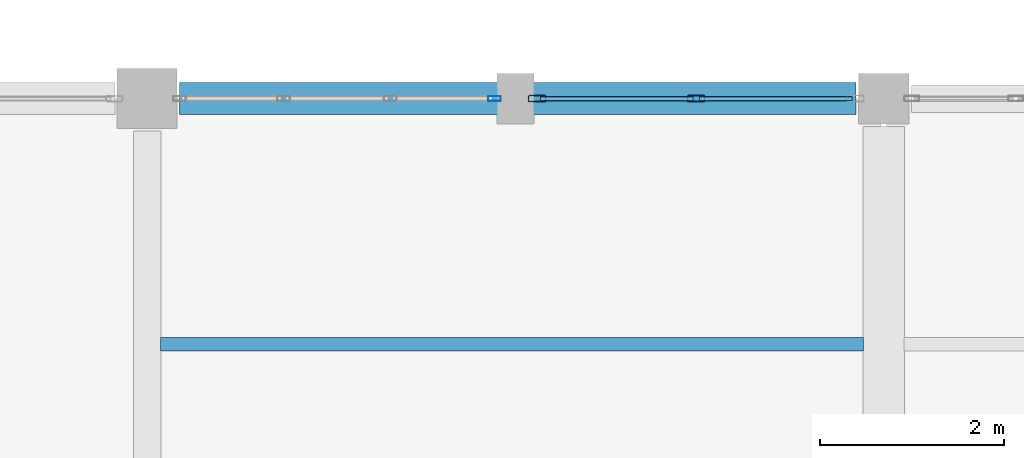
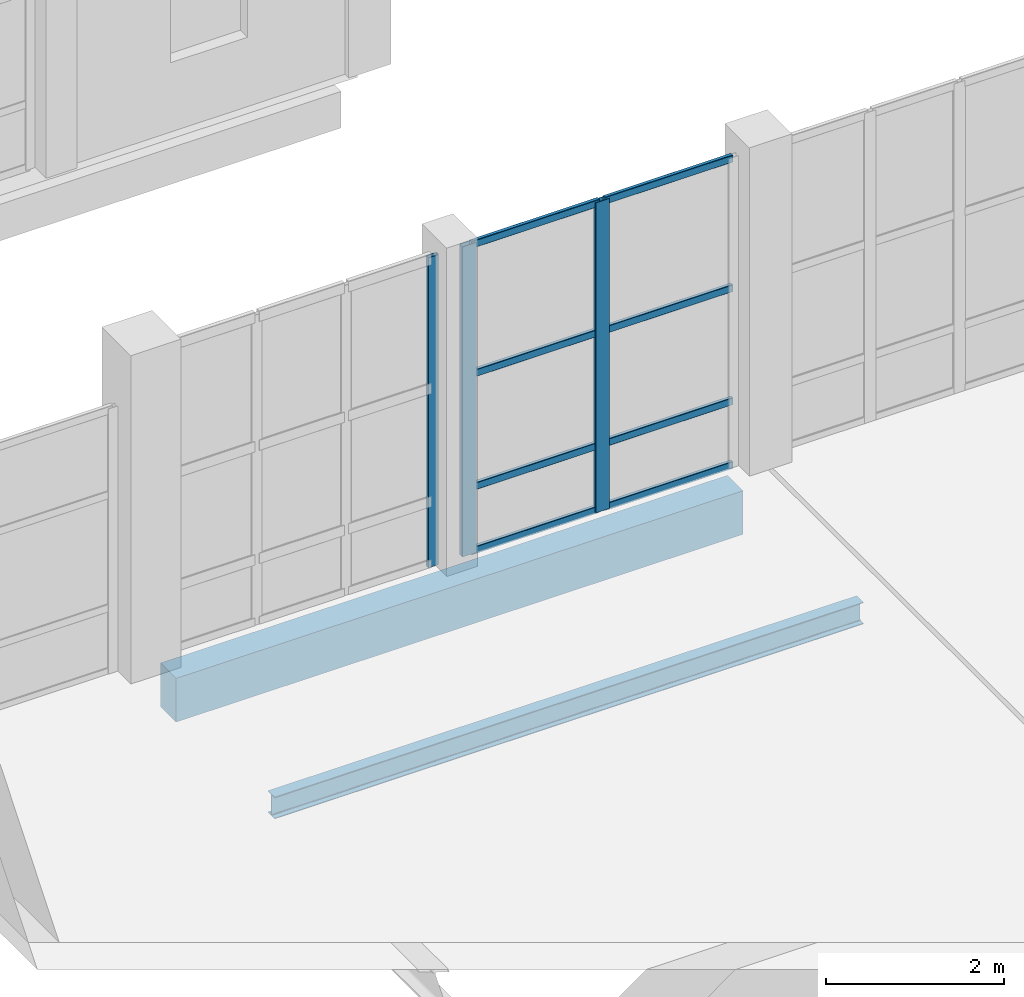
# One storey, part 33 of 183: 11 members, 2 beams, 2 elements without a shape of their own.
"""IFC4 building model written with IfcOpenShell, lengths in metres."""

from ifc_helpers import new_model, si_unit, direction, frame, origin, origin_2d, place, context, subcontext, project, spatial, rectangle, hollow_rectangle, i_section, extrude, material, material_profile, profile_set, type_object, element, aggregate, save


model = new_model("IFC4")

# Units and contexts
model_context = context("Model", 3, precision=1e-05, world=origin(), true_north=direction((0.0, 1.0)))
body_context = subcontext(model_context, "Body", "Model", "MODEL_VIEW")
ifc_project = project(units=[si_unit("LENGTHUNIT", "METRE"), si_unit("AREAUNIT", "SQUARE_METRE"), si_unit("VOLUMEUNIT", "CUBIC_METRE"), si_unit("PLANEANGLEUNIT", "RADIAN"), si_unit("MASSUNIT", "GRAM", prefix="KILO")], contexts=[model_context])

# Site, building, storey
site_placement = place(None, origin())
site = spatial("IfcSite", under=ifc_project, at=site_placement, CompositionType="ELEMENT")
building_placement = place(site_placement, origin())
building = spatial("IfcBuilding", under=site, at=building_placement, Name="Luwemba Playhouse", CompositionType="ELEMENT")
storey_placement = place(building_placement, frame((0.0, 0.0, 4.800048828125)))
storey = spatial("IfcBuildingStorey", under=building, at=storey_placement, Name="L01", CompositionType="ELEMENT", Elevation=4.800048828125)

# Beams
ifc_material_1 = material(Name="Steel S355", Category="steel")
ifc_material_profile_1 = material_profile(ifc_material_1, i_section(OverallWidth=0.14990234375, OverallDepth=0.300048828125, WebThickness=0.007080078125, FlangeThickness=0.0107421875, FilletRadius=0.014892578125, at=origin_2d()))
ifc_profile_set_1 = profile_set([ifc_material_profile_1], Name="Steel S355")
beam_type_1 = type_object("IfcBeamType", Name="BM-SJ05", PredefinedType="JOIST", material=ifc_profile_set_1)
beam_1_placement = place(storey_placement, frame((44.14599609375, 24.333251953125, -0.400146484375), z_axis=(1.0, 0.0, 0.0), x_axis=(0.0, 1.0, 0.0)))
element("IfcBeam", 1, at=beam_1_placement, inside=storey, type_object=beam_type_1, Name="L01 composite floor joist 0300", PredefinedType="JOIST", context=body_context, shape_type="SweptSolid", body=[
    extrude(i_section(OverallWidth=0.14990234375, OverallDepth=0.300048828125, WebThickness=0.007080078125, FlangeThickness=0.0107421875, FilletRadius=0.014892578125, at=origin_2d()), origin(), (0.0, 0.0, 1.0), 7.633056640625),
])
ifc_material_2 = material(Name="Concrete C40/50", Category="concrete")
ifc_material_profile_2 = material_profile(ifc_material_2, rectangle(XDim=0.35009765625, YDim=0.60009765625, at=origin_2d()))
ifc_profile_set_2 = profile_set([ifc_material_profile_2], Name="Concrete C40/50")
beam_type_2 = type_object("IfcBeamType", Name="BM-SP3", PredefinedType="SPANDREL", material=ifc_profile_set_2)
beam_2_placement = place(storey_placement, frame((44.35009765625, 27.0, -0.550048828125), z_axis=(1.0, 0.0, 0.0), x_axis=(0.0, 1.0, 0.0)))
element("IfcBeam", 2, at=beam_2_placement, inside=storey, type_object=beam_type_2, Name="L01 grid girder 0494", PredefinedType="SPANDREL", context=body_context, shape_type="SweptSolid", body=[
    extrude(rectangle(XDim=0.35009765625, YDim=0.60009765625, at=origin_2d()), origin(), (0.0, 0.0, 1.0), 7.349853515625),
])

# Curtain wall, member
ifc_material_3 = material(Name="Solar-control double glazing", Category="glass")
curtain_wall_type_1 = type_object("IfcCurtainWallType", Name="CW-CW101", PredefinedType="USERDEFINED", material=ifc_material_3)
curtain_wall_1_placement = place(storey_placement, origin())
curtain_wall_1 = element("IfcCurtainWall", 3, at=curtain_wall_1_placement, inside=storey, type_object=curtain_wall_type_1, Name="L01 V5W unitised curtain wall 132", ObjectType="UNITISED GLAZING", PredefinedType="USERDEFINED")
ifc_material_4 = material(Name="Aluminium 6063-T6", Category="aluminium")
ifc_material_profile_3 = material_profile(ifc_material_4, hollow_rectangle(XDim=0.054931640625, YDim=0.139892578125, WallThickness=0.00390625, InnerFilletRadius=0.006103515625, OuterFilletRadius=0.010009765625, at=origin_2d()))
ifc_profile_set_3 = profile_set([ifc_material_profile_3], Name="Aluminium 6063-T6")
member_type_1 = type_object("IfcMemberType", Name="CWM-M3", PredefinedType="MULLION", material=ifc_profile_set_3)
member_1_placement = place(storey_placement, frame((47.7724609375, 27.0, 0.0), z_axis=(0.0, 0.0, 1.0), x_axis=(0.0, 1.0, 0.0)))
member_1 = element("IfcMember", 4, at=member_1_placement, type_object=member_type_1, Name="CW101 mullion 4", PredefinedType="MULLION", context=body_context, shape_type="SweptSolid", body=[
    extrude(hollow_rectangle(XDim=0.054931640625, YDim=0.139892578125, WallThickness=0.00390625, InnerFilletRadius=0.006103515625, OuterFilletRadius=0.010009765625, at=origin_2d()), origin(), (0.0, 0.0, 1.0), 4.25),
])
aggregate(curtain_wall_1, [member_1])

# Curtain wall, members
curtain_wall_type_2 = type_object("IfcCurtainWallType", Name="CW-CW102", PredefinedType="USERDEFINED", material=ifc_material_3)
curtain_wall_2_placement = place(storey_placement, origin())
curtain_wall_2 = element("IfcCurtainWall", 5, at=curtain_wall_2_placement, inside=storey, type_object=curtain_wall_type_2, Name="L01 V5W unitised curtain wall 133", ObjectType="UNITISED GLAZING", PredefinedType="USERDEFINED")
ifc_material_profile_4 = material_profile(ifc_material_4, hollow_rectangle(XDim=0.070068359375, YDim=0.18994140625, WallThickness=0.0048828125, InnerFilletRadius=0.007568359375, OuterFilletRadius=0.012451171875, at=origin_2d()))
ifc_profile_set_4 = profile_set([ifc_material_profile_4], Name="Aluminium 6063-T6")
member_type_2 = type_object("IfcMemberType", Name="CWM-M4", PredefinedType="MULLION", material=ifc_profile_set_4)
member_2_placement = place(storey_placement, frame((48.235107421875, 27.0, 0.0), z_axis=(0.0, 0.0, 1.0), x_axis=(0.0, 1.0, 0.0)))
member_2 = element("IfcMember", 6, at=member_2_placement, type_object=member_type_2, Name="CW102 mullion 1", PredefinedType="MULLION", context=body_context, shape_type="SweptSolid", body=[
    extrude(hollow_rectangle(XDim=0.070068359375, YDim=0.18994140625, WallThickness=0.0048828125, InnerFilletRadius=0.007568359375, OuterFilletRadius=0.012451171875, at=origin_2d()), origin(), (0.0, 0.0, 1.0), 4.25),
])
member_3_placement = place(storey_placement, frame((49.96240234375, 27.0, 0.0), z_axis=(0.0, 0.0, 1.0), x_axis=(0.0, 1.0, 0.0)))
member_3 = element("IfcMember", 7, at=member_3_placement, type_object=member_type_2, Name="CW102 mullion 2", PredefinedType="MULLION", context=body_context, shape_type="SweptSolid", body=[
    extrude(hollow_rectangle(XDim=0.070068359375, YDim=0.18994140625, WallThickness=0.0048828125, InnerFilletRadius=0.007568359375, OuterFilletRadius=0.012451171875, at=origin_2d()), origin(), (0.0, 0.0, 1.0), 4.25),
])
ifc_material_profile_5 = material_profile(ifc_material_4, hollow_rectangle(XDim=0.050048828125, YDim=0.10009765625, WallThickness=0.00341796875, InnerFilletRadius=0.00537109375, OuterFilletRadius=0.0087890625, at=origin_2d()))
ifc_profile_set_5 = profile_set([ifc_material_profile_5], Name="Aluminium 6063-T6")
member_type_3 = type_object("IfcMemberType", Name="CWT-T4", PredefinedType="USERDEFINED", material=ifc_profile_set_5)
member_4_placement = place(storey_placement, frame((48.27001953125, 27.0, 0.02490234375), z_axis=(1.0, 0.0, 0.0), x_axis=(0.0, 1.0, 0.0)))
member_4 = element("IfcMember", 8, at=member_4_placement, type_object=member_type_3, Name="CW102 transom 1.1", ObjectType="TRANSOM", PredefinedType="USERDEFINED", context=body_context, shape_type="SweptSolid", body=[
    extrude(hollow_rectangle(XDim=0.050048828125, YDim=0.10009765625, WallThickness=0.00341796875, InnerFilletRadius=0.00537109375, OuterFilletRadius=0.0087890625, at=origin_2d()), origin(), (0.0, 0.0, 1.0), 1.657470703125),
])
member_5_placement = place(storey_placement, frame((48.27001953125, 27.0, 0.89990234375), z_axis=(1.0, 0.0, 0.0), x_axis=(0.0, 1.0, 0.0)))
member_5 = element("IfcMember", 9, at=member_5_placement, type_object=member_type_3, Name="CW102 transom 1.2", ObjectType="TRANSOM", PredefinedType="USERDEFINED", context=body_context, shape_type="SweptSolid", body=[
    extrude(hollow_rectangle(XDim=0.050048828125, YDim=0.10009765625, WallThickness=0.00341796875, InnerFilletRadius=0.00537109375, OuterFilletRadius=0.0087890625, at=origin_2d()), origin(), (0.0, 0.0, 1.0), 1.657470703125),
])
member_6_placement = place(storey_placement, frame((48.27001953125, 27.0, 2.449951171875), z_axis=(1.0, 0.0, 0.0), x_axis=(0.0, 1.0, 0.0)))
member_6 = element("IfcMember", 10, at=member_6_placement, type_object=member_type_3, Name="CW102 transom 1.3", ObjectType="TRANSOM", PredefinedType="USERDEFINED", context=body_context, shape_type="SweptSolid", body=[
    extrude(hollow_rectangle(XDim=0.050048828125, YDim=0.10009765625, WallThickness=0.00341796875, InnerFilletRadius=0.00537109375, OuterFilletRadius=0.0087890625, at=origin_2d()), origin(), (0.0, 0.0, 1.0), 1.657470703125),
])
member_7_placement = place(storey_placement, frame((48.27001953125, 27.0, 4.224853515625), z_axis=(1.0, 0.0, 0.0), x_axis=(0.0, 1.0, 0.0)))
member_7 = element("IfcMember", 11, at=member_7_placement, type_object=member_type_3, Name="CW102 transom 1.4", ObjectType="TRANSOM", PredefinedType="USERDEFINED", context=body_context, shape_type="SweptSolid", body=[
    extrude(hollow_rectangle(XDim=0.050048828125, YDim=0.10009765625, WallThickness=0.00341796875, InnerFilletRadius=0.00537109375, OuterFilletRadius=0.0087890625, at=origin_2d()), origin(), (0.0, 0.0, 1.0), 1.657470703125),
])
member_8_placement = place(storey_placement, frame((49.99755859375, 27.0, 0.02490234375), z_axis=(1.0, 0.0, 0.0), x_axis=(0.0, 1.0, 0.0)))
member_8 = element("IfcMember", 12, at=member_8_placement, type_object=member_type_3, Name="CW102 transom 2.1", ObjectType="TRANSOM", PredefinedType="USERDEFINED", context=body_context, shape_type="SweptSolid", body=[
    extrude(hollow_rectangle(XDim=0.050048828125, YDim=0.10009765625, WallThickness=0.00341796875, InnerFilletRadius=0.00537109375, OuterFilletRadius=0.0087890625, at=origin_2d()), origin(), (0.0, 0.0, 1.0), 1.657470703125),
])
member_9_placement = place(storey_placement, frame((49.99755859375, 27.0, 0.89990234375), z_axis=(1.0, 0.0, 0.0), x_axis=(0.0, 1.0, 0.0)))
member_9 = element("IfcMember", 13, at=member_9_placement, type_object=member_type_3, Name="CW102 transom 2.2", ObjectType="TRANSOM", PredefinedType="USERDEFINED", context=body_context, shape_type="SweptSolid", body=[
    extrude(hollow_rectangle(XDim=0.050048828125, YDim=0.10009765625, WallThickness=0.00341796875, InnerFilletRadius=0.00537109375, OuterFilletRadius=0.0087890625, at=origin_2d()), origin(), (0.0, 0.0, 1.0), 1.657470703125),
])
member_10_placement = place(storey_placement, frame((49.99755859375, 27.0, 2.449951171875), z_axis=(1.0, 0.0, 0.0), x_axis=(0.0, 1.0, 0.0)))
member_10 = element("IfcMember", 14, at=member_10_placement, type_object=member_type_3, Name="CW102 transom 2.3", ObjectType="TRANSOM", PredefinedType="USERDEFINED", context=body_context, shape_type="SweptSolid", body=[
    extrude(hollow_rectangle(XDim=0.050048828125, YDim=0.10009765625, WallThickness=0.00341796875, InnerFilletRadius=0.00537109375, OuterFilletRadius=0.0087890625, at=origin_2d()), origin(), (0.0, 0.0, 1.0), 1.657470703125),
])
member_11_placement = place(storey_placement, frame((49.99755859375, 27.0, 4.224853515625), z_axis=(1.0, 0.0, 0.0), x_axis=(0.0, 1.0, 0.0)))
member_11 = element("IfcMember", 15, at=member_11_placement, type_object=member_type_3, Name="CW102 transom 2.4", ObjectType="TRANSOM", PredefinedType="USERDEFINED", context=body_context, shape_type="SweptSolid", body=[
    extrude(hollow_rectangle(XDim=0.050048828125, YDim=0.10009765625, WallThickness=0.00341796875, InnerFilletRadius=0.00537109375, OuterFilletRadius=0.0087890625, at=origin_2d()), origin(), (0.0, 0.0, 1.0), 1.657470703125),
])
aggregate(curtain_wall_2, [member_2, member_3, member_4, member_5, member_6, member_7, member_8, member_9, member_10, member_11])

save(model, "model.ifc")
